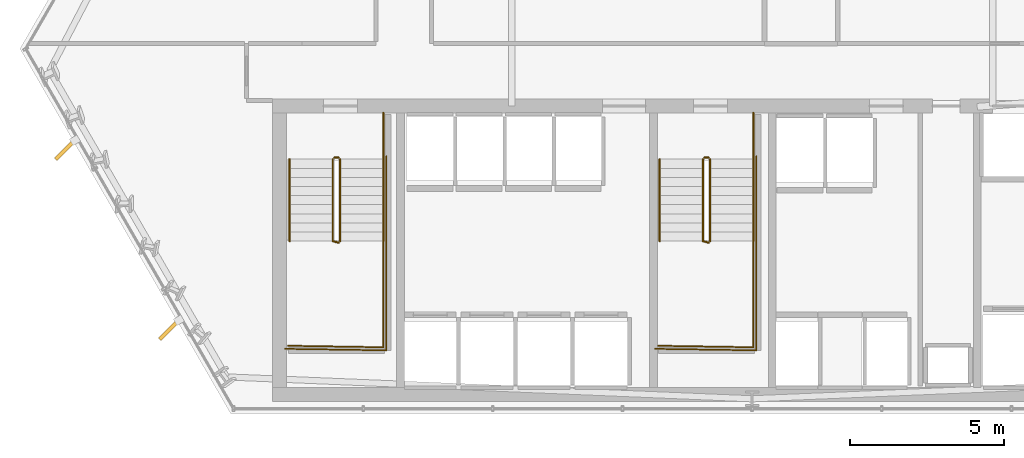
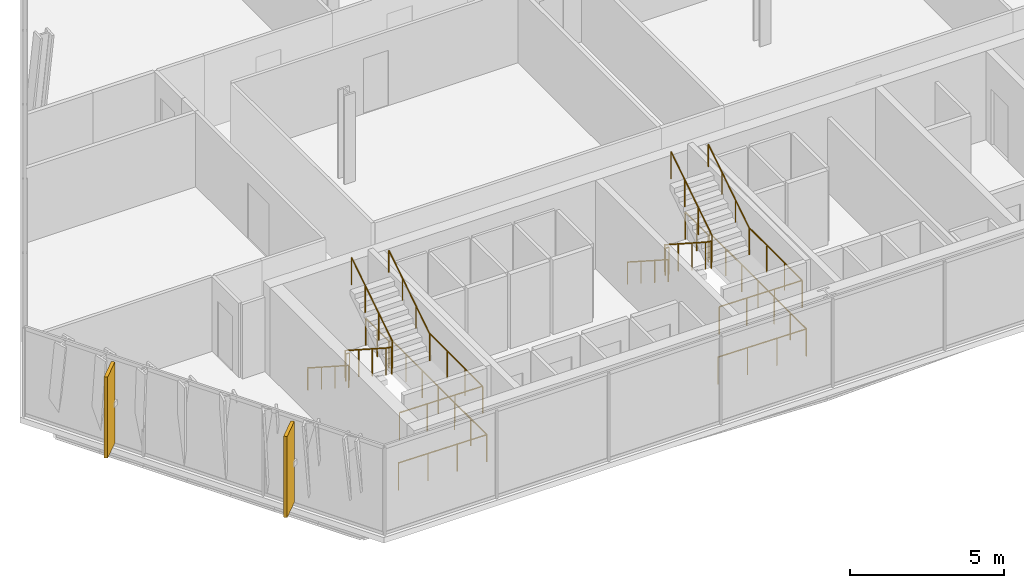
# One storey, part 28 of 31: 16 railings, 2 shading devices.
"""IFC4 building model written with IfcOpenShell, lengths in metres."""

import ifcopenshell
import ifcopenshell.guid

model = None  # the IFC model being written
_history = None  # IfcOwnerHistory: only IFC2X3 demands one
_inside = {}  # id of a spatial element -> (the spatial element, [elements in it])
_under = {}  # id of a project, library or spatial element -> (it, [spatial elements below it])
_declared = {}  # id of a project -> (the project, [libraries it declares])
_typed = {}  # id of a type object -> (the type object, [elements of that type])
_made_of = {}  # id of a material, layer set ... -> (it, [elements and type objects made of it])


def new_model(schema):
    """Start an empty IFC model of exactly this schema.

    Asked for "IFC4X3", IfcOpenShell would pick the latest addendum, in which some entities
    have other attributes; the version numbers below select the first issue.
    IFC2X3 requires an IfcOwnerHistory on every rooted entity: one is made here for all.
    """
    global model, _history
    if schema == "IFC4X3":
        model = ifcopenshell.file(schema_version=(4, 3, 0, 0))
    else:
        model = ifcopenshell.file(schema=schema)
    _inside.clear()
    _under.clear()
    _declared.clear()
    _typed.clear()
    _made_of.clear()
    _history = None
    if model.schema == "IFC2X3":
        org = make("IfcOrganization", Name="unknown")
        user = make(
            "IfcPersonAndOrganization",
            ThePerson=make("IfcPerson", FamilyName="unknown"),
            TheOrganization=org,
        )
        app = make(
            "IfcApplication",
            ApplicationDeveloper=org,
            Version="unknown",
            ApplicationFullName="unknown",
            ApplicationIdentifier="unknown",
        )
        _history = make(
            "IfcOwnerHistory",
            OwningUser=user,
            OwningApplication=app,
            ChangeAction="ADDED",
            CreationDate=0,
        )
    return model


def make(cls, **values):
    """One entity of the class cls with the attributes given. An attribute that is None is left unset."""
    return model.create_entity(
        cls, **{name: value for name, value in values.items() if value is not None}
    )


def rooted(cls, **values):
    """An entity with a GlobalId (a new one), such as an element, a storey or a relation."""
    return make(cls, GlobalId=ifcopenshell.guid.new(), OwnerHistory=_history, **values)


def si_unit(unit_type, name, prefix=None):
    """IfcSIUnit, for example si_unit("LENGTHUNIT", "METRE", prefix="MILLI")."""
    return make("IfcSIUnit", UnitType=unit_type, Prefix=prefix, Name=name)


def assignment(units):
    """IfcUnitAssignment: the units of a project."""
    return None if units is None else make("IfcUnitAssignment", Units=units)


def point(xyz):
    """IfcCartesianPoint."""
    return None if xyz is None else make("IfcCartesianPoint", Coordinates=xyz)


def direction(xyz):
    """IfcDirection."""
    return None if xyz is None else make("IfcDirection", DirectionRatios=xyz)


def frame(location, z_axis=None, x_axis=None):
    """IfcAxis2Placement3D, a coordinate frame: its origin and axes. An axis left out is left unset."""
    return make(
        "IfcAxis2Placement3D",
        Location=point(location),
        Axis=direction(z_axis),
        RefDirection=direction(x_axis),
    )


def frame_2d(location, x_axis=None):
    """IfcAxis2Placement2D, a coordinate frame in the plane: its origin and x axis."""
    return make(
        "IfcAxis2Placement2D", Location=point(location), RefDirection=direction(x_axis)
    )


def origin():
    """The frame at (0, 0, 0) with its axes left unset."""
    return frame((0.0, 0.0, 0.0))


def origin_2d():
    """The frame at (0, 0) in the plane with its x axis left unset."""
    return frame_2d((0.0, 0.0))


def place(relative_to, where):
    """IfcLocalPlacement: puts the frame where relative to a parent placement (None: the world)."""
    return make(
        "IfcLocalPlacement", PlacementRelTo=relative_to, RelativePlacement=where
    )


def context(
    kind, dimensions, precision=None, world=None, true_north=None, identifier=None
):
    """IfcGeometricRepresentationContext, for example the 3D "Model" context."""
    return make(
        "IfcGeometricRepresentationContext",
        ContextIdentifier=identifier,
        ContextType=kind,
        CoordinateSpaceDimension=dimensions,
        Precision=precision,
        WorldCoordinateSystem=world,
        TrueNorth=true_north,
    )


def subcontext(parent, identifier, kind, view, scale=None):
    """IfcGeometricRepresentationSubContext, for example "Body" below "Model"."""
    return make(
        "IfcGeometricRepresentationSubContext",
        ContextIdentifier=identifier,
        ContextType=kind,
        ParentContext=parent,
        TargetScale=scale,
        TargetView=view,
    )


def project(units=None, contexts=None):
    """IfcProject with its units and contexts."""
    return rooted(
        "IfcProject",
        Name="project",
        RepresentationContexts=contexts,
        UnitsInContext=assignment(units),
    )


def spatial(cls, under=None, at=None, **own):
    """A site, building, storey or space (cls), placed at a placement, below another one or the project."""
    s = rooted(cls, ObjectPlacement=at, **own)
    if under is not None:
        _under.setdefault(under.id(), (under, []))[1].append(s)
    return s


def profile(cls, at=None, kind="AREA", **sizes):
    """A parametric profile (cls). Its sizes go by their IFC names, for example OverallWidth=200.0."""
    return make(cls, ProfileType=kind, Position=at, **sizes)


def rectangle(**sizes):
    """IfcRectangleProfileDef."""
    return profile("IfcRectangleProfileDef", **sizes)


def circle(**sizes):
    """IfcCircleProfileDef."""
    return profile("IfcCircleProfileDef", **sizes)


def extrude(swept, where, along, depth):
    """IfcExtrudedAreaSolid: the profile swept, set in the frame where, extruded along a direction by depth."""
    return make(
        "IfcExtrudedAreaSolid",
        SweptArea=swept,
        Position=where,
        ExtrudedDirection=direction(along),
        Depth=depth,
    )


def shape(context_of_items, identifier, shape_type, items):
    """IfcShapeRepresentation: the items that make up one representation, for example the "Body"."""
    return make(
        "IfcShapeRepresentation",
        ContextOfItems=context_of_items,
        RepresentationIdentifier=identifier,
        RepresentationType=shape_type,
        Items=items,
    )


def material(Name=None, Category=None):
    """IfcMaterial."""
    return make("IfcMaterial", Name=Name, Category=Category)


def layer(
    of_material, thickness, ventilated=None, Name=None, Category=None, Priority=None
):
    """IfcMaterialLayer: one layer of a wall or slab, of a material (None: an air gap)."""
    return make(
        "IfcMaterialLayer",
        Material=of_material,
        LayerThickness=thickness,
        IsVentilated=ventilated,
        Name=Name,
        Category=Category,
        Priority=Priority,
    )


def layer_set(layers, Name=None):
    """IfcMaterialLayerSet."""
    return make("IfcMaterialLayerSet", MaterialLayers=layers, LayerSetName=Name)


def made_of(thing, what):
    """Note that an element or type object is made of a material, layer set ...; save() writes the relation."""
    if what is not None:
        _made_of.setdefault(what.id(), (what, []))[1].append(thing)
    return thing


def type_object(cls, material=None, **own):
    """A type object (cls), such as IfcWallType, which elements share."""
    return made_of(rooted(cls, **own), material)


def element(
    cls,
    number,
    at=None,
    inside=None,
    cuts=None,
    type_object=None,
    material=None,
    context=None,
    identifier="Body",
    shape_type=None,
    held_by="IfcProductDefinitionShape",
    body=None,
    shapes=None,
    **own,
):
    """One element of the class cls, such as IfcWall. Its Tag is "e" and its number.

    at: its placement. inside: the storey or other place that contains it. cuts: it is an
    opening in that element (IfcRelVoidsElement). A single representation is given by context,
    identifier, shape_type and body (its items); several are given by shapes. held_by: the class
    of the entity that holds the representations. save() writes the other relations.
    """
    e = rooted(cls, Tag="e%d" % number, ObjectPlacement=at, **own)
    if body is not None:
        shapes = [shape(context, identifier, shape_type, body)]
    if shapes is not None:
        e.Representation = make(held_by, Representations=shapes)
    if inside is not None:
        _inside.setdefault(inside.id(), (inside, []))[1].append(e)
    if cuts is not None:
        rooted(
            "IfcRelVoidsElement", RelatingBuildingElement=cuts, RelatedOpeningElement=e
        )
    if type_object is not None:
        _typed.setdefault(type_object.id(), (type_object, []))[1].append(e)
    return made_of(e, material)


def aggregate(whole, parts):
    """IfcRelAggregates: a whole, such as a stair, and the parts it consists of."""
    return rooted("IfcRelAggregates", RelatingObject=whole, RelatedObjects=parts)


def save(model, path):
    """Write the relations noted so far, then the file.

    IfcRelAggregates (storeys below a building ...), IfcRelContainedInSpatialStructure (elements
    in a storey), IfcRelDefinesByType, IfcRelAssociatesMaterial and IfcRelDeclares: one each for
    every whole, place, type object, material and project.
    """
    for whole, parts in _under.values():
        aggregate(whole, parts)
    for where, things in _inside.values():
        rooted(
            "IfcRelContainedInSpatialStructure",
            RelatedElements=things,
            RelatingStructure=where,
        )
    for kind, things in _typed.values():
        rooted("IfcRelDefinesByType", RelatedObjects=things, RelatingType=kind)
    for what, things in _made_of.values():
        rooted("IfcRelAssociatesMaterial", RelatedObjects=things, RelatingMaterial=what)
    for by, libraries in _declared.values():
        rooted("IfcRelDeclares", RelatingContext=by, RelatedDefinitions=libraries)
    model.write(path)


model = new_model("IFC4")

# Units and contexts
model_context = context("Model", 3, precision=1e-05, world=origin(), true_north=direction((0.0, 1.0)))
body_context = subcontext(model_context, "Body", "Model", "MODEL_VIEW")
ifc_project = project(units=[si_unit("LENGTHUNIT", "METRE"), si_unit("AREAUNIT", "SQUARE_METRE"), si_unit("VOLUMEUNIT", "CUBIC_METRE"), si_unit("PLANEANGLEUNIT", "RADIAN"), si_unit("MASSUNIT", "GRAM", prefix="KILO")], contexts=[model_context])

# Site, building, storey
site_placement = place(None, origin())
site = spatial("IfcSite", under=ifc_project, at=site_placement, CompositionType="ELEMENT")
building_placement = place(site_placement, origin())
building = spatial("IfcBuilding", under=site, at=building_placement, Name="Ndaravel Arena Tower", CompositionType="ELEMENT")
storey_placement = place(building_placement, frame((0.0, 0.0, 108.199951171875)))
storey = spatial("IfcBuildingStorey", under=building, at=storey_placement, Name="L25", CompositionType="ELEMENT", Elevation=108.199951171875)

# Railings
ifc_material_1 = material(Name="Steel S355", Category="steel")
ifc_layer_1 = layer(ifc_material_1, 0.06005859375)
ifc_layer_set_1 = layer_set([ifc_layer_1], Name="Steel S355")
railing_type_1 = type_object("IfcRailingType", Name="RAIL-STAIR-GD1100", PredefinedType="GUARDRAIL", material=ifc_layer_set_1)
railing_1_placement = place(storey_placement, frame((28.39990234375, 13.25, 0.18994140625)))
element("IfcRailing", 1, at=railing_1_placement, inside=storey, type_object=railing_type_1, Name="L25 ST-1 stair guard 1", PredefinedType="GUARDRAIL", context=body_context, shape_type="SweptSolid", body=[
    extrude(circle(Radius=0.02392578125, at=origin_2d()), frame((0.0, 0.0, 1.076171875), z_axis=(0.0, -0.840688348013, 0.541519253134), x_axis=(1.0, 0.0, 0.0)), (0.0, 0.0, 1.0), 3.158203125),
    extrude(circle(Radius=0.02392578125, at=origin_2d()), frame((0.0, -2.655029296875, 2.7861328125), z_axis=(0.967074537263, -0.25449329928, 0.0), x_axis=(0.25449329928, 0.967074537263, 0.0)), (0.0, 0.0, 1.0), 0.19677734375),
    extrude(circle(Radius=0.02099609375, at=origin_2d()), origin(), (0.0, 0.0, 1.0), 1.052001953125),
    extrude(circle(Radius=0.02099609375, at=origin_2d()), frame((0.0, -0.885009765625, 0.570068359375)), (0.0, 0.0, 1.0), 1.052001953125),
    extrude(circle(Radius=0.02099609375, at=origin_2d()), frame((0.0, -1.77001953125, 1.14013671875)), (0.0, 0.0, 1.0), 1.052001953125),
    extrude(circle(Radius=0.02099609375, at=origin_2d()), frame((0.0, -2.655029296875, 1.710205078125)), (0.0, 0.0, 1.0), 1.052001953125),
    extrude(circle(Radius=0.02099609375, at=origin_2d()), frame((0.190185546875, -2.705078125, 1.710205078125)), (0.0, 0.0, 1.0), 1.052001953125),
])
railing_2_placement = place(storey_placement, frame((30.0400390625, 10.594970703125, 1.900146484375)))
element("IfcRailing", 2, at=railing_2_placement, inside=storey, type_object=railing_type_1, Name="L25 ST-1 stair guard 2", PredefinedType="GUARDRAIL", context=body_context, shape_type="SweptSolid", body=[
    extrude(circle(Radius=0.02392578125, at=origin_2d()), frame((0.0, 0.0, 1.076171875), z_axis=(0.0, -1.0, 0.0), x_axis=(1.0, 0.0, 0.0)), (0.0, 0.0, 1.0), 3.445068359375),
    extrude(circle(Radius=0.02392578125, at=origin_2d()), frame((0.0, -3.445068359375, 1.076171875), z_axis=(-0.999868861343, 0.016194447071, 0.0), x_axis=(-0.016194447071, -0.999868861343, 0.0)), (0.0, 0.0, 1.0), 3.090576171875),
    extrude(circle(Radius=0.02099609375, at=origin_2d()), origin(), (0.0, 0.0, 1.0), 1.052001953125),
    extrude(circle(Radius=0.02099609375, at=origin_2d()), frame((0.0, -1.1484375, 0.0)), (0.0, 0.0, 1.0), 1.052001953125),
    extrude(circle(Radius=0.02099609375, at=origin_2d()), frame((0.0, -2.296630859375, 0.0)), (0.0, 0.0, 1.0), 1.052001953125),
    extrude(circle(Radius=0.02099609375, at=origin_2d()), frame((0.0, -3.445068359375, 0.0)), (0.0, 0.0, 1.0), 1.052001953125),
    extrude(circle(Radius=0.02099609375, at=origin_2d()), frame((-1.030029296875, -3.428466796875, 0.0)), (0.0, 0.0, 1.0), 1.052001953125),
    extrude(circle(Radius=0.02099609375, at=origin_2d()), frame((-2.06005859375, -3.41162109375, 0.0)), (0.0, 0.0, 1.0), 1.052001953125),
    extrude(circle(Radius=0.02099609375, at=origin_2d()), frame((-3.090087890625, -3.39501953125, 0.0)), (0.0, 0.0, 1.0), 1.052001953125),
])
railing_3_placement = place(storey_placement, frame((28.639892578125, 10.594970703125, 2.090087890625)))
element("IfcRailing", 3, at=railing_3_placement, inside=storey, type_object=railing_type_1, Name="L25 ST-1 stair guard 3", PredefinedType="GUARDRAIL", context=body_context, shape_type="SweptSolid", body=[
    extrude(circle(Radius=0.02392578125, at=origin_2d()), frame((0.0, 0.0, 1.076171875), z_axis=(0.0, 0.840723540582, 0.54146461409), x_axis=(-1.0, 0.0, 0.0)), (0.0, 0.0, 1.0), 3.157958984375),
    extrude(circle(Radius=0.02099609375, at=origin_2d()), origin(), (0.0, 0.0, 1.0), 1.052001953125),
    extrude(circle(Radius=0.02099609375, at=origin_2d()), frame((0.0, 0.885009765625, 0.570068359375)), (0.0, 0.0, 1.0), 1.052001953125),
    extrude(circle(Radius=0.02099609375, at=origin_2d()), frame((0.0, 1.77001953125, 1.139892578125)), (0.0, 0.0, 1.0), 1.052001953125),
    extrude(circle(Radius=0.02099609375, at=origin_2d()), frame((0.0, 2.655029296875, 1.7099609375)), (0.0, 0.0, 1.0), 1.052001953125),
])
railing_4_placement = place(storey_placement, frame((28.449951171875, 13.300048828125, 0.0)))
element("IfcRailing", 4, at=railing_4_placement, inside=storey, type_object=railing_type_1, Name="L25 ST-1 stair guard 4", PredefinedType="GUARDRAIL", context=body_context, shape_type="SweptSolid", body=[
    extrude(circle(Radius=0.02392578125, at=origin_2d()), frame((0.0, 0.0, 1.076171875), z_axis=(1.0, 0.0, 0.0), x_axis=(0.0, 1.0, 0.0)), (0.0, 0.0, 1.0), 0.14013671875),
    extrude(circle(Radius=0.02099609375, at=origin_2d()), origin(), (0.0, 0.0, 1.0), 1.052001953125),
    extrude(circle(Radius=0.02099609375, at=origin_2d()), frame((0.14013671875, 0.0, 0.0)), (0.0, 0.0, 1.0), 1.052001953125),
])
railing_5_placement = place(storey_placement, frame((30.0400390625, 14.75, 0.0)))
element("IfcRailing", 5, at=railing_5_placement, inside=storey, type_object=railing_type_1, Name="L25 ST-1 stair guard 5", PredefinedType="GUARDRAIL", context=body_context, shape_type="SweptSolid", body=[
    extrude(circle(Radius=0.02392578125, at=origin_2d()), frame((0.0, 0.0, 1.076171875), z_axis=(0.0, -1.0, 0.0), x_axis=(1.0, 0.0, 0.0)), (0.0, 0.0, 1.0), 1.5),
    extrude(circle(Radius=0.02099609375, at=origin_2d()), origin(), (0.0, 0.0, 1.0), 1.052001953125),
    extrude(circle(Radius=0.02099609375, at=origin_2d()), frame((0.0, -0.75, 0.0)), (0.0, 0.0, 1.0), 1.052001953125),
    extrude(circle(Radius=0.02099609375, at=origin_2d()), frame((0.0, -1.5, 0.0)), (0.0, 0.0, 1.0), 1.052001953125),
])
railing_6_placement = place(storey_placement, frame((30.139892578125, 13.35009765625, 0.0)))
element("IfcRailing", 6, at=railing_6_placement, inside=storey, type_object=railing_type_1, Name="L25 ST-1 stair guard 6", PredefinedType="GUARDRAIL", context=body_context, shape_type="SweptSolid", body=[
    extrude(circle(Radius=0.02392578125, at=origin_2d()), frame((0.0, 0.0, 1.076171875), z_axis=(0.0, -1.0, 0.0), x_axis=(1.0, 0.0, 0.0)), (0.0, 0.0, 1.0), 6.300048828125),
    extrude(circle(Radius=0.02392578125, at=origin_2d()), frame((0.0, -6.300048828125, 1.076171875), z_axis=(-0.999884296952, 0.015211597839, 0.0), x_axis=(-0.015211597839, -0.999884296952, 0.0)), (0.0, 0.0, 1.0), 3.290283203125),
    extrude(circle(Radius=0.02099609375, at=origin_2d()), origin(), (0.0, 0.0, 1.0), 1.052001953125),
    extrude(circle(Radius=0.02099609375, at=origin_2d()), frame((0.0, -1.050048828125, 0.0)), (0.0, 0.0, 1.0), 1.052001953125),
    extrude(circle(Radius=0.02099609375, at=origin_2d()), frame((0.0, -2.10009765625, 0.0)), (0.0, 0.0, 1.0), 1.052001953125),
    extrude(circle(Radius=0.02099609375, at=origin_2d()), frame((0.0, -3.14990234375, 0.0)), (0.0, 0.0, 1.0), 1.052001953125),
    extrude(circle(Radius=0.02099609375, at=origin_2d()), frame((0.0, -4.199951171875, 0.0)), (0.0, 0.0, 1.0), 1.052001953125),
    extrude(circle(Radius=0.02099609375, at=origin_2d()), frame((0.0, -5.25, 0.0)), (0.0, 0.0, 1.0), 1.052001953125),
    extrude(circle(Radius=0.02099609375, at=origin_2d()), frame((0.0, -6.300048828125, 0.0)), (0.0, 0.0, 1.0), 1.052001953125),
    extrude(circle(Radius=0.02099609375, at=origin_2d()), frame((-1.0966796875, -6.283447265625, 0.0)), (0.0, 0.0, 1.0), 1.052001953125),
    extrude(circle(Radius=0.02099609375, at=origin_2d()), frame((-2.193115234375, -6.2666015625, 0.0)), (0.0, 0.0, 1.0), 1.052001953125),
    extrude(circle(Radius=0.02099609375, at=origin_2d()), frame((-3.289794921875, -6.25, 0.0)), (0.0, 0.0, 1.0), 1.052001953125),
])
railing_7_placement = place(storey_placement, frame((40.39990234375, 13.25, 0.18994140625)))
element("IfcRailing", 7, at=railing_7_placement, inside=storey, type_object=railing_type_1, Name="L25 ST-2 stair guard 1", PredefinedType="GUARDRAIL", context=body_context, shape_type="SweptSolid", body=[
    extrude(circle(Radius=0.02392578125, at=origin_2d()), frame((0.0, 0.0, 1.076171875), z_axis=(0.0, -0.840688348013, 0.541519253134), x_axis=(1.0, 0.0, 0.0)), (0.0, 0.0, 1.0), 3.158203125),
    extrude(circle(Radius=0.02392578125, at=origin_2d()), frame((0.0, -2.655029296875, 2.7861328125), z_axis=(0.967074537263, -0.25449329928, 0.0), x_axis=(0.25449329928, 0.967074537263, 0.0)), (0.0, 0.0, 1.0), 0.19677734375),
    extrude(circle(Radius=0.02099609375, at=origin_2d()), origin(), (0.0, 0.0, 1.0), 1.052001953125),
    extrude(circle(Radius=0.02099609375, at=origin_2d()), frame((0.0, -0.885009765625, 0.570068359375)), (0.0, 0.0, 1.0), 1.052001953125),
    extrude(circle(Radius=0.02099609375, at=origin_2d()), frame((0.0, -1.77001953125, 1.14013671875)), (0.0, 0.0, 1.0), 1.052001953125),
    extrude(circle(Radius=0.02099609375, at=origin_2d()), frame((0.0, -2.655029296875, 1.710205078125)), (0.0, 0.0, 1.0), 1.052001953125),
    extrude(circle(Radius=0.02099609375, at=origin_2d()), frame((0.190185546875, -2.705078125, 1.710205078125)), (0.0, 0.0, 1.0), 1.052001953125),
])
railing_8_placement = place(storey_placement, frame((42.0400390625, 10.594970703125, 1.900146484375)))
element("IfcRailing", 8, at=railing_8_placement, inside=storey, type_object=railing_type_1, Name="L25 ST-2 stair guard 2", PredefinedType="GUARDRAIL", context=body_context, shape_type="SweptSolid", body=[
    extrude(circle(Radius=0.02392578125, at=origin_2d()), frame((0.0, 0.0, 1.076171875), z_axis=(0.0, -1.0, 0.0), x_axis=(1.0, 0.0, 0.0)), (0.0, 0.0, 1.0), 3.445068359375),
    extrude(circle(Radius=0.02392578125, at=origin_2d()), frame((0.0, -3.445068359375, 1.076171875), z_axis=(-0.999868861343, 0.016194447071, 0.0), x_axis=(-0.016194447071, -0.999868861343, 0.0)), (0.0, 0.0, 1.0), 3.090576171875),
    extrude(circle(Radius=0.02099609375, at=origin_2d()), origin(), (0.0, 0.0, 1.0), 1.052001953125),
    extrude(circle(Radius=0.02099609375, at=origin_2d()), frame((0.0, -1.1484375, 0.0)), (0.0, 0.0, 1.0), 1.052001953125),
    extrude(circle(Radius=0.02099609375, at=origin_2d()), frame((0.0, -2.296630859375, 0.0)), (0.0, 0.0, 1.0), 1.052001953125),
    extrude(circle(Radius=0.02099609375, at=origin_2d()), frame((0.0, -3.445068359375, 0.0)), (0.0, 0.0, 1.0), 1.052001953125),
    extrude(circle(Radius=0.02099609375, at=origin_2d()), frame((-1.030029296875, -3.428466796875, 0.0)), (0.0, 0.0, 1.0), 1.052001953125),
    extrude(circle(Radius=0.02099609375, at=origin_2d()), frame((-2.06005859375, -3.41162109375, 0.0)), (0.0, 0.0, 1.0), 1.052001953125),
    extrude(circle(Radius=0.02099609375, at=origin_2d()), frame((-3.090087890625, -3.39501953125, 0.0)), (0.0, 0.0, 1.0), 1.052001953125),
])
railing_9_placement = place(storey_placement, frame((40.639892578125, 10.594970703125, 2.090087890625)))
element("IfcRailing", 9, at=railing_9_placement, inside=storey, type_object=railing_type_1, Name="L25 ST-2 stair guard 3", PredefinedType="GUARDRAIL", context=body_context, shape_type="SweptSolid", body=[
    extrude(circle(Radius=0.02392578125, at=origin_2d()), frame((0.0, 0.0, 1.076171875), z_axis=(0.0, 0.840723540582, 0.54146461409), x_axis=(-1.0, 0.0, 0.0)), (0.0, 0.0, 1.0), 3.157958984375),
    extrude(circle(Radius=0.02099609375, at=origin_2d()), origin(), (0.0, 0.0, 1.0), 1.052001953125),
    extrude(circle(Radius=0.02099609375, at=origin_2d()), frame((0.0, 0.885009765625, 0.570068359375)), (0.0, 0.0, 1.0), 1.052001953125),
    extrude(circle(Radius=0.02099609375, at=origin_2d()), frame((0.0, 1.77001953125, 1.139892578125)), (0.0, 0.0, 1.0), 1.052001953125),
    extrude(circle(Radius=0.02099609375, at=origin_2d()), frame((0.0, 2.655029296875, 1.7099609375)), (0.0, 0.0, 1.0), 1.052001953125),
])
railing_10_placement = place(storey_placement, frame((40.449951171875, 13.300048828125, 0.0)))
element("IfcRailing", 10, at=railing_10_placement, inside=storey, type_object=railing_type_1, Name="L25 ST-2 stair guard 4", PredefinedType="GUARDRAIL", context=body_context, shape_type="SweptSolid", body=[
    extrude(circle(Radius=0.02392578125, at=origin_2d()), frame((0.0, 0.0, 1.076171875), z_axis=(1.0, 0.0, 0.0), x_axis=(0.0, 1.0, 0.0)), (0.0, 0.0, 1.0), 0.14013671875),
    extrude(circle(Radius=0.02099609375, at=origin_2d()), origin(), (0.0, 0.0, 1.0), 1.052001953125),
    extrude(circle(Radius=0.02099609375, at=origin_2d()), frame((0.14013671875, 0.0, 0.0)), (0.0, 0.0, 1.0), 1.052001953125),
])
railing_11_placement = place(storey_placement, frame((42.0400390625, 14.75, 0.0)))
element("IfcRailing", 11, at=railing_11_placement, inside=storey, type_object=railing_type_1, Name="L25 ST-2 stair guard 5", PredefinedType="GUARDRAIL", context=body_context, shape_type="SweptSolid", body=[
    extrude(circle(Radius=0.02392578125, at=origin_2d()), frame((0.0, 0.0, 1.076171875), z_axis=(0.0, -1.0, 0.0), x_axis=(1.0, 0.0, 0.0)), (0.0, 0.0, 1.0), 1.5),
    extrude(circle(Radius=0.02099609375, at=origin_2d()), origin(), (0.0, 0.0, 1.0), 1.052001953125),
    extrude(circle(Radius=0.02099609375, at=origin_2d()), frame((0.0, -0.75, 0.0)), (0.0, 0.0, 1.0), 1.052001953125),
    extrude(circle(Radius=0.02099609375, at=origin_2d()), frame((0.0, -1.5, 0.0)), (0.0, 0.0, 1.0), 1.052001953125),
])
railing_12_placement = place(storey_placement, frame((42.139892578125, 13.35009765625, 0.0)))
element("IfcRailing", 12, at=railing_12_placement, inside=storey, type_object=railing_type_1, Name="L25 ST-2 stair guard 6", PredefinedType="GUARDRAIL", context=body_context, shape_type="SweptSolid", body=[
    extrude(circle(Radius=0.02392578125, at=origin_2d()), frame((0.0, 0.0, 1.076171875), z_axis=(0.0, -1.0, 0.0), x_axis=(1.0, 0.0, 0.0)), (0.0, 0.0, 1.0), 6.300048828125),
    extrude(circle(Radius=0.02392578125, at=origin_2d()), frame((0.0, -6.300048828125, 1.076171875), z_axis=(-0.999884296952, 0.015211597839, 0.0), x_axis=(-0.015211597839, -0.999884296952, 0.0)), (0.0, 0.0, 1.0), 3.290283203125),
    extrude(circle(Radius=0.02099609375, at=origin_2d()), origin(), (0.0, 0.0, 1.0), 1.052001953125),
    extrude(circle(Radius=0.02099609375, at=origin_2d()), frame((0.0, -1.050048828125, 0.0)), (0.0, 0.0, 1.0), 1.052001953125),
    extrude(circle(Radius=0.02099609375, at=origin_2d()), frame((0.0, -2.10009765625, 0.0)), (0.0, 0.0, 1.0), 1.052001953125),
    extrude(circle(Radius=0.02099609375, at=origin_2d()), frame((0.0, -3.14990234375, 0.0)), (0.0, 0.0, 1.0), 1.052001953125),
    extrude(circle(Radius=0.02099609375, at=origin_2d()), frame((0.0, -4.199951171875, 0.0)), (0.0, 0.0, 1.0), 1.052001953125),
    extrude(circle(Radius=0.02099609375, at=origin_2d()), frame((0.0, -5.25, 0.0)), (0.0, 0.0, 1.0), 1.052001953125),
    extrude(circle(Radius=0.02099609375, at=origin_2d()), frame((0.0, -6.300048828125, 0.0)), (0.0, 0.0, 1.0), 1.052001953125),
    extrude(circle(Radius=0.02099609375, at=origin_2d()), frame((-1.0966796875, -6.283447265625, 0.0)), (0.0, 0.0, 1.0), 1.052001953125),
    extrude(circle(Radius=0.02099609375, at=origin_2d()), frame((-2.193115234375, -6.2666015625, 0.0)), (0.0, 0.0, 1.0), 1.052001953125),
    extrude(circle(Radius=0.02099609375, at=origin_2d()), frame((-3.289794921875, -6.25, 0.0)), (0.0, 0.0, 1.0), 1.052001953125),
])
ifc_material_2 = material(Name="Steel S355", Category="steel")
ifc_layer_2 = layer(ifc_material_2, 0.050048828125)
ifc_layer_set_2 = layer_set([ifc_layer_2], Name="Steel S355")
railing_type_2 = type_object("IfcRailingType", Name="RAIL-STAIR-HR920", PredefinedType="HANDRAIL", material=ifc_layer_set_2)
railing_13_placement = place(storey_placement, frame((27.0, 13.25, 0.18994140625)))
element("IfcRailing", 13, at=railing_13_placement, inside=storey, type_object=railing_type_2, Name="L25 ST-1 stair handrail 1", PredefinedType="HANDRAIL", context=body_context, shape_type="SweptSolid", body=[
    extrude(circle(Radius=0.02392578125, at=origin_2d()), frame((0.0, 0.0, 0.8759765625), z_axis=(0.0, -0.840688348013, 0.541519253134), x_axis=(1.0, 0.0, 0.0)), (0.0, 0.0, 1.0), 3.158203125),
    extrude(circle(Radius=0.02099609375, at=origin_2d()), origin(), (0.0, 0.0, 1.0), 0.851806640625),
    extrude(circle(Radius=0.02099609375, at=origin_2d()), frame((0.0, -0.885009765625, 0.570068359375)), (0.0, 0.0, 1.0), 0.851806640625),
    extrude(circle(Radius=0.02099609375, at=origin_2d()), frame((0.0, -1.77001953125, 1.14013671875)), (0.0, 0.0, 1.0), 0.851806640625),
    extrude(circle(Radius=0.02099609375, at=origin_2d()), frame((0.0, -2.655029296875, 1.710205078125)), (0.0, 0.0, 1.0), 0.851806640625),
])
railing_14_placement = place(storey_placement, frame((30.0400390625, 10.594970703125, 2.090087890625)))
element("IfcRailing", 14, at=railing_14_placement, inside=storey, type_object=railing_type_2, Name="L25 ST-1 stair handrail 2", PredefinedType="HANDRAIL", context=body_context, shape_type="SweptSolid", body=[
    extrude(circle(Radius=0.02392578125, at=origin_2d()), frame((0.0, 0.0, 0.8759765625), z_axis=(0.0, 0.840723540582, 0.54146461409), x_axis=(-1.0, 0.0, 0.0)), (0.0, 0.0, 1.0), 3.157958984375),
    extrude(circle(Radius=0.02099609375, at=origin_2d()), origin(), (0.0, 0.0, 1.0), 0.851806640625),
    extrude(circle(Radius=0.02099609375, at=origin_2d()), frame((0.0, 0.885009765625, 0.570068359375)), (0.0, 0.0, 1.0), 0.851806640625),
    extrude(circle(Radius=0.02099609375, at=origin_2d()), frame((0.0, 1.77001953125, 1.139892578125)), (0.0, 0.0, 1.0), 0.851806640625),
    extrude(circle(Radius=0.02099609375, at=origin_2d()), frame((0.0, 2.655029296875, 1.7099609375)), (0.0, 0.0, 1.0), 0.851806640625),
])
railing_15_placement = place(storey_placement, frame((39.0, 13.25, 0.18994140625)))
element("IfcRailing", 15, at=railing_15_placement, inside=storey, type_object=railing_type_2, Name="L25 ST-2 stair handrail 1", PredefinedType="HANDRAIL", context=body_context, shape_type="SweptSolid", body=[
    extrude(circle(Radius=0.02392578125, at=origin_2d()), frame((0.0, 0.0, 0.8759765625), z_axis=(0.0, -0.840688348013, 0.541519253134), x_axis=(1.0, 0.0, 0.0)), (0.0, 0.0, 1.0), 3.158203125),
    extrude(circle(Radius=0.02099609375, at=origin_2d()), origin(), (0.0, 0.0, 1.0), 0.851806640625),
    extrude(circle(Radius=0.02099609375, at=origin_2d()), frame((0.0, -0.885009765625, 0.570068359375)), (0.0, 0.0, 1.0), 0.851806640625),
    extrude(circle(Radius=0.02099609375, at=origin_2d()), frame((0.0, -1.77001953125, 1.14013671875)), (0.0, 0.0, 1.0), 0.851806640625),
    extrude(circle(Radius=0.02099609375, at=origin_2d()), frame((0.0, -2.655029296875, 1.710205078125)), (0.0, 0.0, 1.0), 0.851806640625),
])
railing_16_placement = place(storey_placement, frame((42.0400390625, 10.594970703125, 2.090087890625)))
element("IfcRailing", 16, at=railing_16_placement, inside=storey, type_object=railing_type_2, Name="L25 ST-2 stair handrail 2", PredefinedType="HANDRAIL", context=body_context, shape_type="SweptSolid", body=[
    extrude(circle(Radius=0.02392578125, at=origin_2d()), frame((0.0, 0.0, 0.8759765625), z_axis=(0.0, 0.840723540582, 0.54146461409), x_axis=(-1.0, 0.0, 0.0)), (0.0, 0.0, 1.0), 3.157958984375),
    extrude(circle(Radius=0.02099609375, at=origin_2d()), origin(), (0.0, 0.0, 1.0), 0.851806640625),
    extrude(circle(Radius=0.02099609375, at=origin_2d()), frame((0.0, 0.885009765625, 0.570068359375)), (0.0, 0.0, 1.0), 0.851806640625),
    extrude(circle(Radius=0.02099609375, at=origin_2d()), frame((0.0, 1.77001953125, 1.139892578125)), (0.0, 0.0, 1.0), 0.851806640625),
    extrude(circle(Radius=0.02099609375, at=origin_2d()), frame((0.0, 2.655029296875, 1.7099609375)), (0.0, 0.0, 1.0), 0.851806640625),
])

# Shading devices
ifc_material_3 = material(Name="Masonry", Category="masonry")
shading_device_type = type_object("IfcShadingDeviceType", Name="SHD-MAZERAS-FIN", PredefinedType="SHUTTER", material=ifc_material_3)
for number, where, z_axis, x_axis, name in (
    (17, (19.73095703125, 13.56201171875, 0.14990234375), (0.0, 0.0, 1.0), (-0.707106781187, -0.707106781187, 0.0), "L25 Mazeras Stone Solar Fin E6.1"),
    (18, (23.1005859375, 7.7255859375, 0.14990234375), (0.0, 0.0, 1.0), (-0.707106781187, -0.707106781187, 0.0), "L25 Mazeras Stone Solar Fin E6.2"),
):
    element("IfcShadingDevice", number, at=place(storey_placement, frame(where, z_axis=z_axis, x_axis=x_axis)), inside=storey, type_object=shading_device_type, Name=name, PredefinedType="SHUTTER", context=body_context, shape_type="SweptSolid", body=[
        extrude(rectangle(XDim=0.89990234375, YDim=0.1201171875, at=origin_2d()), origin(), (0.0, 0.0, 1.0), 3.219970703125),
    ])

save(model, "model.ifc")
